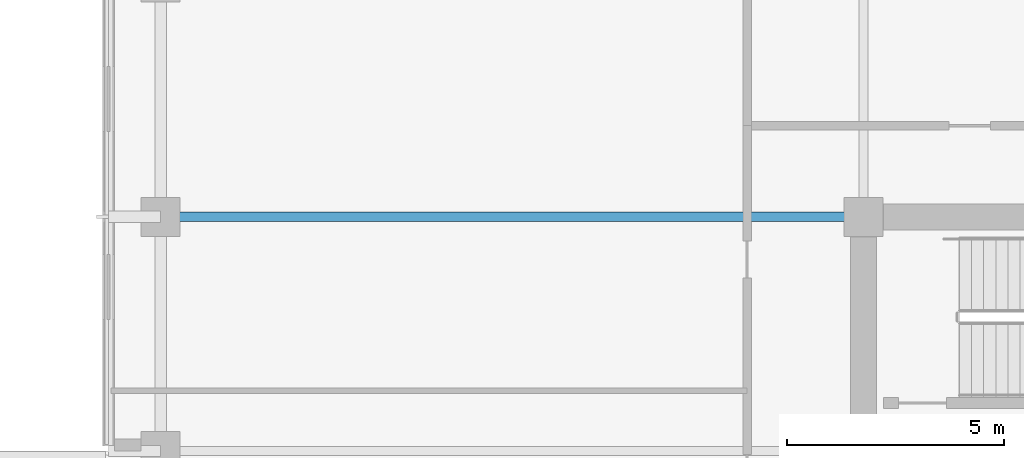
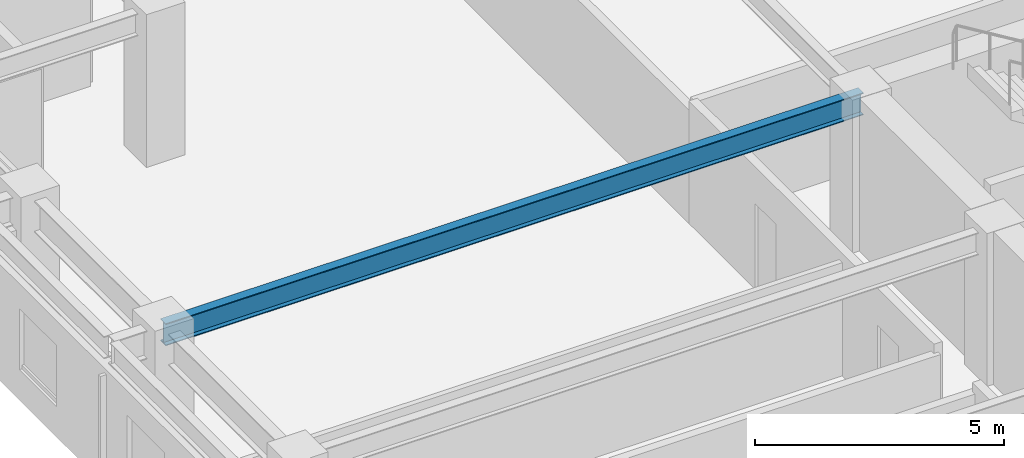
# One storey, part 14 of 28: 1 beam.
"""IFC4 building model written with IfcOpenShell, lengths in metres."""

from ifc_helpers import new_model, si_unit, direction, frame, origin, origin_2d, place, context, subcontext, project, spatial, i_section, extrude, material, material_profile, profile_set, type_object, element, save


model = new_model("IFC4")

# Units and contexts
model_context = context("Model", 3, precision=1e-05, world=origin(), true_north=direction((0.0, 1.0)))
body_context = subcontext(model_context, "Body", "Model", "MODEL_VIEW")
ifc_project = project(units=[si_unit("LENGTHUNIT", "METRE"), si_unit("AREAUNIT", "SQUARE_METRE"), si_unit("VOLUMEUNIT", "CUBIC_METRE"), si_unit("PLANEANGLEUNIT", "RADIAN"), si_unit("MASSUNIT", "GRAM", prefix="KILO")], contexts=[model_context])

# Site, building, storey
site_placement = place(None, origin())
site = spatial("IfcSite", under=ifc_project, at=site_placement, CompositionType="ELEMENT")
building_placement = place(site_placement, origin())
building = spatial("IfcBuilding", under=site, at=building_placement, Name="Surkhivell Harbour Commons", CompositionType="ELEMENT")
storey_placement = place(building_placement, frame((0.0, 0.0, 182.25)))
storey = spatial("IfcBuildingStorey", under=building, at=storey_placement, Name="L47", CompositionType="ELEMENT", Elevation=182.25)

# Beam
ifc_material = material(Name="Steel S355", Category="steel")
ifc_material_profile = material_profile(ifc_material, i_section(OverallWidth=0.2119140625, OverallDepth=0.5439453125, WebThickness=0.0126953125, FlangeThickness=0.021240234375, at=origin_2d()), Name="UB533x210x122")
ifc_profile_set = profile_set([ifc_material_profile], Name="Steel S355")
beam_type = type_object("IfcBeamType", Name="BM-GRD-533A", PredefinedType="BEAM", material=ifc_profile_set)
beam_placement = place(storey_placement, frame((-27.0, 10.800048828125, 3.298095703125), z_axis=(1.0, 0.0, 0.0), x_axis=(0.0, 1.0, 0.0)))
element("IfcBeam", 1, at=beam_placement, inside=storey, type_object=beam_type, Name="L47 Floor Girder (-27.0,10.8)", PredefinedType="BEAM", context=body_context, shape_type="SweptSolid", body=[
    extrude(i_section(OverallWidth=0.2119140625, OverallDepth=0.5439453125, WebThickness=0.0126953125, FlangeThickness=0.021240234375, at=origin_2d()), origin(), (0.0, 0.0, 1.0), 16.199951171875),
])

save(model, "model.ifc")
